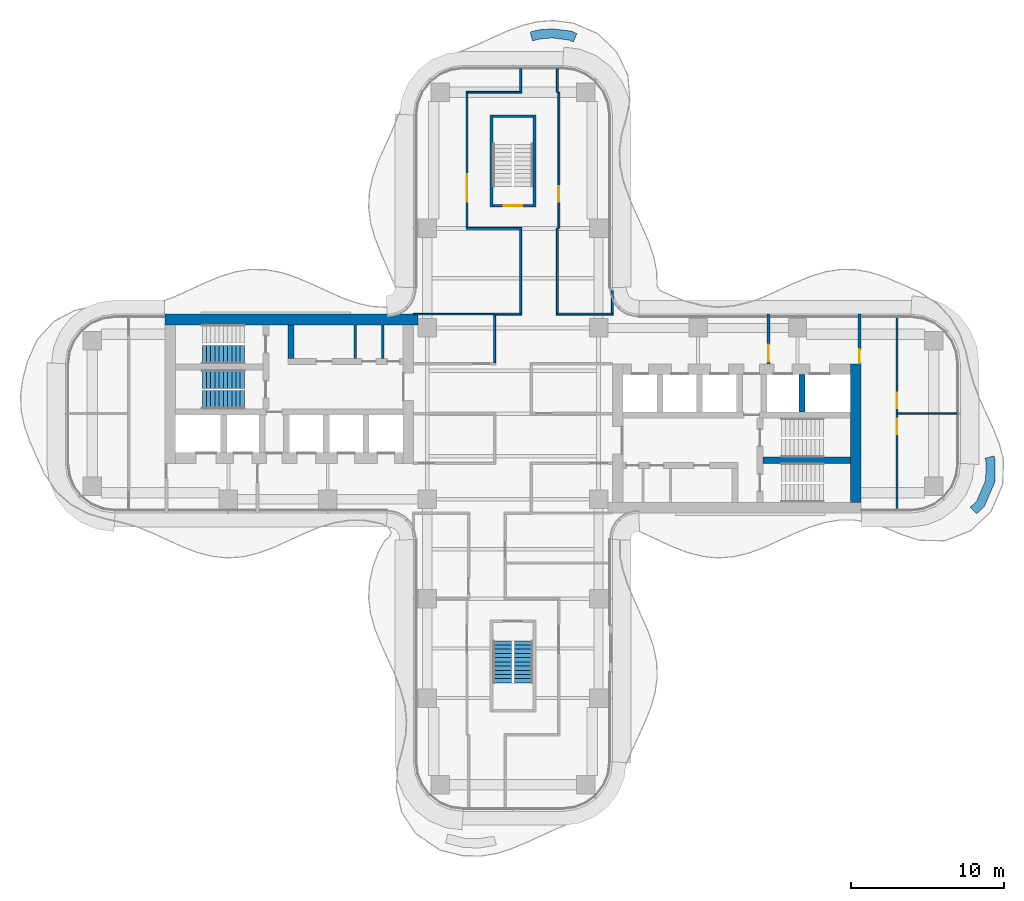
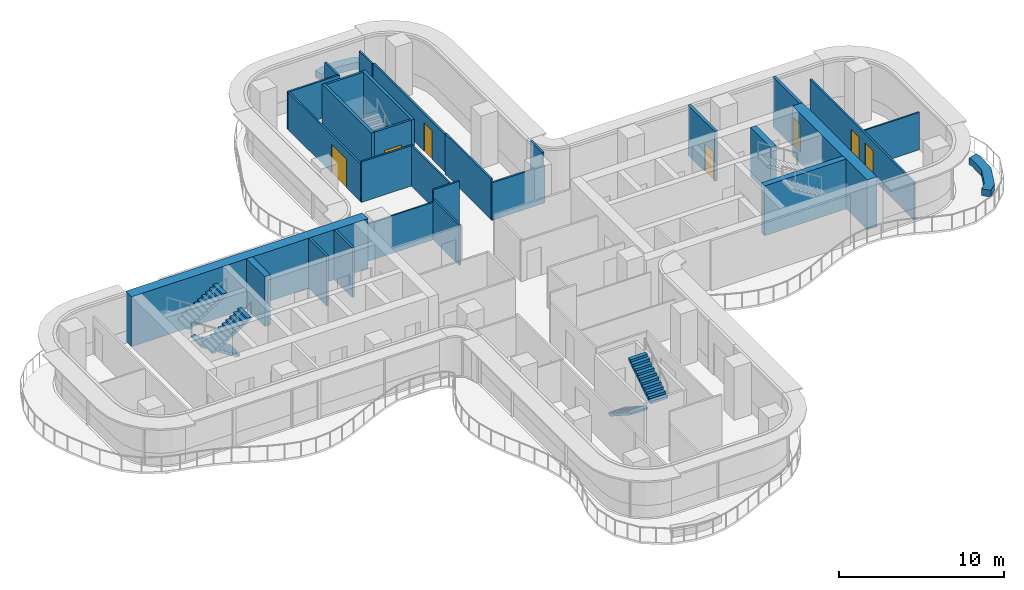
# One storey, part 15 of 18: 30 walls, 7 doors, 5 stair flights, 7 openings, 3 elements without a shape of their own.
"""IFC4 building model written with IfcOpenShell, lengths in metres."""

from ifc_helpers import new_model, si_unit, direction, frame, frame_2d, origin, place, context, subcontext, project, spatial, polyline, rectangle, outline, extrude, source, transform, mapped, material, layer, layer_set, type_object, element, fill, aggregate, save


model = new_model("IFC4")

# Units and contexts
model_context = context("Model", 3, precision=1e-05, world=origin(), true_north=direction((0.0, 1.0)))
body_context = subcontext(model_context, "Body", "Model", "MODEL_VIEW")
ifc_project = project(units=[si_unit("LENGTHUNIT", "METRE"), si_unit("AREAUNIT", "SQUARE_METRE"), si_unit("VOLUMEUNIT", "CUBIC_METRE"), si_unit("PLANEANGLEUNIT", "RADIAN"), si_unit("MASSUNIT", "GRAM", prefix="KILO")], contexts=[model_context])

# Site, building, storey
site_placement = place(None, origin())
site = spatial("IfcSite", under=ifc_project, at=site_placement, CompositionType="ELEMENT")
building_placement = place(site_placement, origin())
building = spatial("IfcBuilding", under=site, at=building_placement, Name="Trellis Farm Tower", CompositionType="ELEMENT")
storey_placement = place(building_placement, frame((0.0, 0.0, 193.199951171875)))
storey = spatial("IfcBuildingStorey", under=building, at=storey_placement, Name="L42", CompositionType="ELEMENT", Elevation=193.199951171875)

# Walls
ifc_material_1 = material(Name="Sandstone faced masonry planter", Category="masonry")
ifc_layer_1 = layer(ifc_material_1, 0.60009765625)
ifc_layer_set_1 = layer_set([ifc_layer_1], Name="PLANTER BED 600")
wall_type_1 = type_object("IfcWallType", Name="PLANTER BED 600", PredefinedType="USERDEFINED", material=ifc_layer_set_1)
placement = place(storey_placement, origin())
element("IfcWall", 1, at=placement, inside=storey, type_object=wall_type_1, Name="PLANTER bed", ObjectType="PLANTER", PredefinedType="USERDEFINED", context=body_context, shape_type="SweptSolid", body=[
    extrude(outline(polyline([(31.51953125, -3.056884765625), (31.487060546875, -4.484130859375), (30.81298828125, -6.068115234375), (30.291015625, -6.55810546875), (29.880615234375, -6.12060546875), (30.310302734375, -5.717041015625), (30.889892578125, -4.355224609375), (30.917724609375, -3.130126953125), (30.8603515625, -2.918701171875), (31.439697265625, -2.76171875), (31.51953125, -3.056884765625)])), origin(), (0.0, 0.0, 1.0), 0.5),
])
element("IfcWall", 2, at=placement, inside=storey, type_object=wall_type_1, Name="PLANTER bed", ObjectType="PLANTER", PredefinedType="USERDEFINED", context=body_context, shape_type="SweptSolid", body=[
    extrude(outline(polyline([(2.6142578125, 25.14501953125), (3.8056640625, 24.997802734375), (4.18359375, 24.83447265625), (3.945556640625, 24.28369140625), (3.646728515625, 24.4130859375), (2.59912109375, 24.54248046875), (1.80419921875, 24.484375), (1.273681640625, 24.358154296875), (1.134765625, 24.94189453125), (1.71240234375, 25.0791015625), (2.6142578125, 25.14501953125)])), origin(), (0.0, 0.0, 1.0), 0.5),
])
ifc_material_2 = material(Name="Concrete C70/85", Category="concrete")
ifc_layer_2 = layer(ifc_material_2, 0.699951171875)
ifc_layer_set_2 = layer_set([ifc_layer_2], Name="CORE OUTER WALL 700 CONCRETE C70/85")
wall_type_2 = type_object("IfcWallType", Name="CORE OUTER WALL 700 CONCRETE C70/85", PredefinedType="SHEAR", material=ifc_layer_set_2)
shared_shape_1 = source(origin(), body_context, "Body", "SweptSolid", [
    extrude(rectangle(XDim=9.050048828125, YDim=0.699951171875, at=frame_2d((4.52490234375, 0.0))), origin(), (0.0, 0.0, 1.0), 3.699951171875),
])
wall_3_placement = place(storey_placement, frame((22.39990234375, -5.800048828125, 0.0), z_axis=(0.0, 0.0, 1.0), x_axis=(0.0, 1.0, 0.0)))
element("IfcWall", 3, at=wall_3_placement, inside=storey, type_object=wall_type_2, Name="Core wall", PredefinedType="SHEAR", context=body_context, shape_type="MappedRepresentation", body=[
    mapped(shared_shape_1, transform((0.0, 0.0, 0.0))),
])
ifc_layer_3 = layer(ifc_material_2, 0.39990234375)
ifc_layer_set_3 = layer_set([ifc_layer_3], Name="CORE INNER WALL 400 CONCRETE C70/85")
wall_type_3 = type_object("IfcWallType", Name="CORE INNER WALL 400 CONCRETE C70/85", PredefinedType="SHEAR", material=ifc_layer_set_3)
shared_shape_2 = source(origin(), body_context, "Body", "SweptSolid", [
    extrude(rectangle(XDim=2.449951171875, YDim=0.39990234375, at=frame_2d((1.22509765625, 0.0))), origin(), (0.0, 0.0, 1.0), 3.699951171875),
])
wall_4_placement = place(storey_placement, frame((18.89990234375, 0.10009765625, 0.0), z_axis=(0.0, 0.0, 1.0), x_axis=(0.0, 1.0, 0.0)))
element("IfcWall", 4, at=wall_4_placement, inside=storey, type_object=wall_type_3, Name="Core wall", PredefinedType="SHEAR", context=body_context, shape_type="MappedRepresentation", body=[
    mapped(shared_shape_2, transform((0.0, 0.0, 0.0))),
])

# Wall, opening, door
ifc_material_3 = material(Name="Masonry blockwork", Category="masonry")
ifc_layer_4 = layer(ifc_material_3, 0.199951171875)
ifc_layer_set_4 = layer_set([ifc_layer_4], Name="FIRE LOBBY PARTITION 200 BLOCKWORK")
wall_type_4 = type_object("IfcWallType", Name="FIRE LOBBY PARTITION 200 BLOCKWORK", PredefinedType="PARTITIONING", material=ifc_layer_set_4)
shared_shape_3 = source(origin(), body_context, "Body", "SweptSolid", [
    extrude(rectangle(XDim=3.25, YDim=0.199951171875, at=frame_2d((1.625, 0.0))), origin(), (0.0, 0.0, 1.0), 3.699951171875),
])
wall_5_placement = place(storey_placement, frame((16.699951171875, 3.25, 0.0), z_axis=(0.0, 0.0, 1.0), x_axis=(0.0, 1.0, 0.0)))
wall_5 = element("IfcWall", 5, at=wall_5_placement, inside=storey, type_object=wall_type_4, Name="Fire-fighting lobby partition", PredefinedType="PARTITIONING", context=body_context, shape_type="MappedRepresentation", body=[
    mapped(shared_shape_3, transform((0.0, 0.0, 0.0))),
])
shared_shape_4 = source(origin(), body_context, "Body", "SweptSolid", [
    extrude(rectangle(XDim=1.10009765625, YDim=2.10009765625, at=frame_2d((0.550048828125, 1.050048828125))), frame((0.0, 0.110107421875, 0.0), z_axis=(0.0, -1.0, 0.0), x_axis=(1.0, 0.0, 0.0)), (0.0, 0.0, 1.0), 0.22021484375),
])
opening_1_placement = place(wall_5_placement, frame((0.14990234375, 0.0, 0.0)))
opening_1 = element("IfcOpeningElement", 6, at=opening_1_placement, cuts=wall_5, Name="Opening DC7", PredefinedType="OPENING", context=body_context, shape_type="MappedRepresentation", body=[
    mapped(shared_shape_4, transform((0.0, 0.0, 0.0))),
])
ifc_material_4 = material(Name="Steel", Category="steel")
door_type_1 = type_object("IfcDoorType", Name="CORE FIRE DOOR 1100 X 2100", OperationType="NOTDEFINED", PredefinedType="DOOR", material=ifc_material_4)
shared_shape_5 = source(origin(), body_context, "Body", "SweptSolid", [
    extrude(rectangle(XDim=1.10009765625, YDim=2.10009765625, at=frame_2d((0.550048828125, 1.050048828125))), frame((0.0, 0.02490234375, 0.0), z_axis=(0.0, -1.0, 0.0), x_axis=(1.0, 0.0, 0.0)), (0.0, 0.0, 1.0), 0.050048828125),
])
door_1_placement = place(opening_1_placement, origin())
door_1 = element("IfcDoor", 7, at=door_1_placement, inside=storey, type_object=door_type_1, Name="Core door", OperationType="SINGLE_SWING_RIGHT", OverallHeight=2.10009765625, OverallWidth=1.10009765625, PredefinedType="DOOR", context=body_context, shape_type="MappedRepresentation", body=[
    mapped(shared_shape_5, transform((0.0, 0.0, 0.0))),
])
fill(opening_1, door_1)

wall_6_placement = place(storey_placement, frame((22.64990234375, 3.25, 0.0), z_axis=(0.0, 0.0, 1.0), x_axis=(0.0, 1.0, 0.0)))
wall_6 = element("IfcWall", 8, at=wall_6_placement, inside=storey, type_object=wall_type_4, Name="Fire-fighting lobby partition", PredefinedType="PARTITIONING", context=body_context, shape_type="MappedRepresentation", body=[
    mapped(shared_shape_3, transform((0.0, 0.0, 0.0))),
])
shared_shape_6 = source(origin(), body_context, "Body", "SweptSolid", [
    extrude(rectangle(XDim=0.89990234375, YDim=2.10009765625, at=frame_2d((0.449951171875, 1.050048828125))), frame((0.0, 0.110107421875, 0.0), z_axis=(0.0, -1.0, 0.0), x_axis=(1.0, 0.0, 0.0)), (0.0, 0.0, 1.0), 0.22021484375),
])
opening_2_placement = place(wall_6_placement, frame((0.050048828125, 0.0, 0.0)))
opening_2 = element("IfcOpeningElement", 9, at=opening_2_placement, cuts=wall_6, Name="Opening DC8", PredefinedType="OPENING", context=body_context, shape_type="MappedRepresentation", body=[
    mapped(shared_shape_6, transform((0.0, 0.0, 0.0))),
])
door_type_2 = type_object("IfcDoorType", Name="CORE FIRE DOOR 900 X 2100", OperationType="NOTDEFINED", PredefinedType="DOOR", material=ifc_material_4)
shared_shape_7 = source(origin(), body_context, "Body", "SweptSolid", [
    extrude(rectangle(XDim=0.89990234375, YDim=2.10009765625, at=frame_2d((0.449951171875, 1.050048828125))), frame((0.0, 0.02490234375, 0.0), z_axis=(0.0, -1.0, 0.0), x_axis=(1.0, 0.0, 0.0)), (0.0, 0.0, 1.0), 0.050048828125),
])
door_2_placement = place(opening_2_placement, origin())
door_2 = element("IfcDoor", 10, at=door_2_placement, inside=storey, type_object=door_type_2, Name="Core door", OperationType="SINGLE_SWING_RIGHT", OverallHeight=2.10009765625, OverallWidth=0.89990234375, PredefinedType="DOOR", context=body_context, shape_type="MappedRepresentation", body=[
    mapped(shared_shape_7, transform((0.0, 0.0, 0.0))),
])
fill(opening_2, door_2)

# Walls
shared_shape_8 = source(origin(), body_context, "Body", "SweptSolid", [
    extrude(rectangle(XDim=16.550048828125, YDim=0.699951171875, at=frame_2d((8.27490234375, 0.0))), origin(), (0.0, 0.0, 1.0), 3.699951171875),
])
wall_7_placement = place(storey_placement, frame((-6.199951171875, 6.14990234375, 0.0), z_axis=(0.0, 0.0, 1.0), x_axis=(-1.0, 0.0, 0.0)))
element("IfcWall", 11, at=wall_7_placement, inside=storey, type_object=wall_type_2, Name="Core wall", PredefinedType="SHEAR", context=body_context, shape_type="MappedRepresentation", body=[
    mapped(shared_shape_8, transform((0.0, 0.0, 0.0))),
])
shared_shape_9 = source(origin(), body_context, "Body", "SweptSolid", [
    extrude(rectangle(XDim=5.699951171875, YDim=0.39990234375, at=frame_2d((2.85009765625, 0.0))), origin(), (0.0, 0.0, 1.0), 3.699951171875),
])
wall_8_placement = place(storey_placement, frame((16.35009765625, -3.050048828125, 0.0), z_axis=(0.0, 0.0, 1.0), x_axis=(1.0, 0.0, 0.0)))
element("IfcWall", 12, at=wall_8_placement, inside=storey, type_object=wall_type_3, Name="Core wall", PredefinedType="SHEAR", context=body_context, shape_type="MappedRepresentation", body=[
    mapped(shared_shape_9, transform((0.0, 0.0, 0.0))),
])
shared_shape_10 = source(origin(), body_context, "Body", "SweptSolid", [
    extrude(rectangle(XDim=2.199951171875, YDim=0.39990234375, at=frame_2d((1.10009765625, 0.0))), origin(), (0.0, 0.0, 1.0), 3.699951171875),
])
wall_9_placement = place(storey_placement, frame((-14.5, 5.800048828125, 0.0), z_axis=(0.0, 0.0, 1.0), x_axis=(0.0, -1.0, 0.0)))
element("IfcWall", 13, at=wall_9_placement, inside=storey, type_object=wall_type_3, Name="Core wall", PredefinedType="SHEAR", context=body_context, shape_type="MappedRepresentation", body=[
    mapped(shared_shape_10, transform((0.0, 0.0, 0.0))),
])
ifc_layer_5 = layer(ifc_material_3, 0.14990234375)
ifc_layer_set_5 = layer_set([ifc_layer_5], Name="CORE PARTITION 150 BLOCKWORK")
wall_type_5 = type_object("IfcWallType", Name="CORE PARTITION 150 BLOCKWORK", PredefinedType="PARTITIONING", material=ifc_layer_set_5)
shared_shape_11 = source(origin(), body_context, "Body", "SweptSolid", [
    extrude(rectangle(XDim=2.199951171875, YDim=0.14990234375, at=frame_2d((1.10009765625, 0.0))), origin(), (0.0, 0.0, 1.0), 3.699951171875),
])
for number, where, z_axis, x_axis, name in (
    (14, (-8.5, 5.800048828125, 0.0), (0.0, 0.0, 1.0), (0.0, -1.0, 0.0), "Core room partition"),
    (15, (-10.300048828125, 5.800048828125, 0.0), (0.0, 0.0, 1.0), (0.0, -1.0, 0.0), "Core room partition"),
):
    element("IfcWall", number, at=place(storey_placement, frame(where, z_axis=z_axis, x_axis=x_axis)), inside=storey, type_object=wall_type_5, Name=name, PredefinedType="PARTITIONING", context=body_context, shape_type="MappedRepresentation", body=[
        mapped(shared_shape_11, transform((0.0, 0.0, 0.0))),
    ])
ifc_layer_6 = layer(ifc_material_2, 0.199951171875)
ifc_layer_set_6 = layer_set([ifc_layer_6], Name="CORE STAIR ENCLOSURE WALL 200 CONCRETE C70/85")
wall_type_6 = type_object("IfcWallType", Name="CORE STAIR ENCLOSURE WALL 200 CONCRETE C70/85", PredefinedType="SHEAR", material=ifc_layer_set_6)
shared_shape_12 = source(origin(), body_context, "Body", "SweptSolid", [
    extrude(rectangle(XDim=6.0, YDim=0.199951171875, at=frame_2d((3.0, 0.0))), origin(), (0.0, 0.0, 1.0), 3.699951171875),
])
for number, where, z_axis, x_axis, name in (
    (16, (-1.39990234375, 13.5, 0.0), (0.0, 0.0, 1.0), (0.0, 1.0, 0.0), "Stair enclosure wall"),
    (17, (1.39990234375, 13.5, 0.0), (0.0, 0.0, 1.0), (0.0, 1.0, 0.0), "Stair enclosure wall"),
):
    element("IfcWall", number, at=place(storey_placement, frame(where, z_axis=z_axis, x_axis=x_axis)), inside=storey, type_object=wall_type_6, Name=name, PredefinedType="SHEAR", context=body_context, shape_type="MappedRepresentation", body=[
        mapped(shared_shape_12, transform((0.0, 0.0, 0.0))),
    ])

# Wall, opening, door
ifc_layer_7 = layer(ifc_material_2, 0.14990234375)
ifc_layer_set_7 = layer_set([ifc_layer_7], Name="CORE STAIR ENCLOSURE WALL 150 CONCRETE C70/85")
wall_type_7 = type_object("IfcWallType", Name="CORE STAIR ENCLOSURE WALL 150 CONCRETE C70/85", PredefinedType="SHEAR", material=ifc_layer_set_7)
shared_shape_13 = source(origin(), body_context, "Body", "SweptSolid", [
    extrude(rectangle(XDim=2.60009765625, YDim=0.14990234375, at=frame_2d((1.300048828125, 0.0))), origin(), (0.0, 0.0, 1.0), 3.699951171875),
])
wall_10_placement = place(storey_placement, frame((-1.300048828125, 13.574951171875, 0.0), z_axis=(0.0, 0.0, 1.0), x_axis=(1.0, 0.0, 0.0)))
wall_10 = element("IfcWall", 18, at=wall_10_placement, inside=storey, type_object=wall_type_7, Name="Stair enclosure wall", PredefinedType="SHEAR", context=body_context, shape_type="MappedRepresentation", body=[
    mapped(shared_shape_13, transform((0.0, 0.0, 0.0))),
])
shared_shape_14 = source(origin(), body_context, "Body", "SweptSolid", [
    extrude(rectangle(XDim=1.199951171875, YDim=2.10009765625, at=frame_2d((0.60009765625, 1.050048828125))), frame((0.0, 0.0849609375, 0.0), z_axis=(0.0, -1.0, 0.0), x_axis=(1.0, 0.0, 0.0)), (0.0, 0.0, 1.0), 0.169921875),
])
opening_3_placement = place(wall_10_placement, frame((0.699951171875, 0.0, 0.0)))
opening_3 = element("IfcOpeningElement", 19, at=opening_3_placement, cuts=wall_10, Name="Opening DC173", PredefinedType="OPENING", context=body_context, shape_type="MappedRepresentation", body=[
    mapped(shared_shape_14, transform((0.0, 0.0, 0.0))),
])
door_type_3 = type_object("IfcDoorType", Name="CORE FIRE DOOR 1200 X 2100", OperationType="NOTDEFINED", PredefinedType="DOOR", material=ifc_material_4)
shared_shape_15 = source(origin(), body_context, "Body", "SweptSolid", [
    extrude(rectangle(XDim=1.199951171875, YDim=2.10009765625, at=frame_2d((0.60009765625, 1.050048828125))), frame((0.0, 0.02490234375, 0.0), z_axis=(0.0, -1.0, 0.0), x_axis=(1.0, 0.0, 0.0)), (0.0, 0.0, 1.0), 0.050048828125),
])
door_3_placement = place(opening_3_placement, origin())
door_3 = element("IfcDoor", 20, at=door_3_placement, inside=storey, type_object=door_type_3, Name="Core door", OperationType="SINGLE_SWING_LEFT", OverallHeight=2.10009765625, OverallWidth=1.199951171875, PredefinedType="DOOR", context=body_context, shape_type="MappedRepresentation", body=[
    mapped(shared_shape_15, transform((0.0, 0.0, 0.0))),
])
fill(opening_3, door_3)

# Walls
wall_11_placement = place(storey_placement, frame((-1.300048828125, 19.425048828125, 0.0), z_axis=(0.0, 0.0, 1.0), x_axis=(1.0, 0.0, 0.0)))
element("IfcWall", 21, at=wall_11_placement, inside=storey, type_object=wall_type_7, Name="Stair enclosure wall", PredefinedType="SHEAR", context=body_context, shape_type="MappedRepresentation", body=[
    mapped(shared_shape_13, transform((0.0, 0.0, 0.0))),
])
ifc_material_5 = material(Name="Plasterboard on steel studs, mineral wool", Category="steel")
ifc_layer_8 = layer(ifc_material_5, 0.125)
ifc_layer_set_8 = layer_set([ifc_layer_8], Name="PARTITION 125 STUD EI 60")
wall_type_8 = type_object("IfcWallType", Name="PARTITION 125 STUD EI 60", PredefinedType="PARTITIONING", material=ifc_layer_set_8)
shared_shape_16 = source(origin(), body_context, "Body", "SweptSolid", [
    extrude(rectangle(XDim=5.47509765625, YDim=0.125, at=frame_2d((2.737548828125, 0.0))), origin(), (0.0, 0.0, 1.0), 2.99658203125),
])
wall_12_placement = place(storey_placement, frame((0.5, 12.03759765625, 0.0), z_axis=(0.0, 0.0, 1.0), x_axis=(0.0, -1.0, 0.0)))
element("IfcWall", 22, at=wall_12_placement, inside=storey, type_object=wall_type_8, Name="Partition PW1", PredefinedType="PARTITIONING", context=body_context, shape_type="MappedRepresentation", body=[
    mapped(shared_shape_16, transform((0.0, 0.0, 0.0))),
])
shared_shape_17 = source(origin(), body_context, "Body", "SweptSolid", [
    extrude(rectangle(XDim=3.137451171875, YDim=0.125, at=frame_2d((1.56884765625, 0.0))), origin(), (0.0, 0.0, 1.0), 2.99658203125),
])
wall_13_placement = place(storey_placement, frame((-1.199951171875, 6.449951171875, 0.0), z_axis=(0.0, 0.0, 1.0), x_axis=(0.0, -1.0, 0.0)))
element("IfcWall", 23, at=wall_13_placement, inside=storey, type_object=wall_type_8, Name="Partition PW1", PredefinedType="PARTITIONING", context=body_context, shape_type="MappedRepresentation", body=[
    mapped(shared_shape_17, transform((0.0, 0.0, 0.0))),
])
shared_shape_18 = source(origin(), body_context, "Body", "SweptSolid", [
    extrude(rectangle(XDim=5.53759765625, YDim=0.125, at=frame_2d((2.768798828125, 0.0))), origin(), (0.0, 0.0, 1.0), 2.99658203125),
])
wall_14_placement = place(storey_placement, frame((2.89990234375, 12.10009765625, 0.0), z_axis=(0.0, 0.0, 1.0), x_axis=(0.0, -1.0, 0.0)))
element("IfcWall", 24, at=wall_14_placement, inside=storey, type_object=wall_type_8, Name="Partition PW1", PredefinedType="PARTITIONING", context=body_context, shape_type="MappedRepresentation", body=[
    mapped(shared_shape_18, transform((0.0, 0.0, 0.0))),
])
shared_shape_19 = source(origin(), body_context, "Body", "SweptSolid", [
    extrude(rectangle(XDim=1.468994140625, YDim=0.125, at=frame_2d((0.734375, 0.0))), origin(), (0.0, 0.0, 1.0), 3.699951171875),
])
wall_15_placement = place(storey_placement, frame((6.5, 6.5625, 0.0), z_axis=(0.0, 0.0, 1.0), x_axis=(0.0, 1.0, 0.0)))
element("IfcWall", 25, at=wall_15_placement, inside=storey, type_object=wall_type_8, Name="Partition PW1", PredefinedType="PARTITIONING", context=body_context, shape_type="MappedRepresentation", body=[
    mapped(shared_shape_19, transform((0.0, 0.0, 0.0))),
])

# Wall, openings, doors
shared_shape_20 = source(origin(), body_context, "Body", "SweptSolid", [
    extrude(rectangle(XDim=12.60009765625, YDim=0.125, at=frame_2d((6.300048828125, 0.0))), origin(), (0.0, 0.0, 1.0), 2.780029296875),
])
wall_16_placement = place(storey_placement, frame((25.10009765625, 6.300048828125, 0.0), z_axis=(0.0, 0.0, 1.0), x_axis=(0.0, -1.0, 0.0)))
wall_16 = element("IfcWall", 26, at=wall_16_placement, inside=storey, type_object=wall_type_8, Name="Partition PW1", PredefinedType="PARTITIONING", context=body_context, shape_type="MappedRepresentation", body=[
    mapped(shared_shape_20, transform((0.0, 0.0, 0.0))),
])
shared_shape_21 = source(origin(), body_context, "Body", "SweptSolid", [
    extrude(rectangle(XDim=1.0, YDim=2.10009765625, at=frame_2d((0.5, 1.050048828125))), frame((0.0, 0.072509765625, 0.0), z_axis=(0.0, -1.0, 0.0), x_axis=(1.0, 0.0, 0.0)), (0.0, 0.0, 1.0), 0.14501953125),
])
opening_4_placement = place(wall_16_placement, frame((6.64990234375, 0.0, 0.0)))
opening_4 = element("IfcOpeningElement", 27, at=opening_4_placement, cuts=wall_16, Name="Opening D105", PredefinedType="OPENING", context=body_context, shape_type="MappedRepresentation", body=[
    mapped(shared_shape_21, transform((0.0, 0.0, 0.0))),
])
opening_5_placement = place(wall_16_placement, frame((4.949951171875, 0.0, 0.0)))
opening_5 = element("IfcOpeningElement", 28, at=opening_5_placement, cuts=wall_16, Name="Opening D107", PredefinedType="OPENING", context=body_context, shape_type="MappedRepresentation", body=[
    mapped(shared_shape_21, transform((0.0, 0.0, 0.0))),
])
ifc_material_6 = material(Name="Fire-rated timber door leaf in a hollow metal frame", Category="wood")
door_type_4 = type_object("IfcDoorType", Name="DOOR 1000x2100 FD30S", OperationType="NOTDEFINED", PredefinedType="DOOR", material=ifc_material_6)
shared_shape_22 = source(origin(), body_context, "Body", "SweptSolid", [
    extrude(rectangle(XDim=1.0, YDim=2.10009765625, at=frame_2d((0.5, 1.050048828125))), frame((0.0, 0.02490234375, 0.0), z_axis=(0.0, -1.0, 0.0), x_axis=(1.0, 0.0, 0.0)), (0.0, 0.0, 1.0), 0.050048828125),
])
door_4_placement = place(opening_4_placement, origin())
door_4 = element("IfcDoor", 29, at=door_4_placement, inside=storey, type_object=door_type_4, Name="Door D105", OperationType="SINGLE_SWING_LEFT", OverallHeight=2.10009765625, OverallWidth=1.0, PredefinedType="DOOR", context=body_context, shape_type="MappedRepresentation", body=[
    mapped(shared_shape_22, transform((0.0, 0.0, 0.0))),
])
fill(opening_4, door_4)
door_5_placement = place(opening_5_placement, origin())
door_5 = element("IfcDoor", 30, at=door_5_placement, inside=storey, type_object=door_type_4, Name="Door D107", OperationType="SINGLE_SWING_RIGHT", OverallHeight=2.10009765625, OverallWidth=1.0, PredefinedType="DOOR", context=body_context, shape_type="MappedRepresentation", body=[
    mapped(shared_shape_22, transform((0.0, 0.0, 0.0))),
])
fill(opening_5, door_5)

# Walls
ifc_material_7 = material(Name="Plasterboard on steel studs", Category="steel")
ifc_layer_9 = layer(ifc_material_7, 0.10009765625)
ifc_layer_set_9 = layer_set([ifc_layer_9], Name="PARTITION 100 STUD EI 30")
wall_type_9 = type_object("IfcWallType", Name="PARTITION 100 STUD EI 30", PredefinedType="PARTITIONING", material=ifc_layer_set_9)
shared_shape_23 = source(origin(), body_context, "Body", "SweptSolid", [
    extrude(rectangle(XDim=5.362548828125, YDim=0.10009765625, at=frame_2d((2.68115234375, 0.0))), origin(), (0.0, 0.0, 1.0), 2.780029296875),
])
wall_17_placement = place(storey_placement, frame((-6.5, 6.5, 0.0), z_axis=(0.0, 0.0, 1.0), x_axis=(1.0, 0.0, 0.0)))
element("IfcWall", 31, at=wall_17_placement, inside=storey, type_object=wall_type_9, Name="Partition PW2", PredefinedType="PARTITIONING", context=body_context, shape_type="MappedRepresentation", body=[
    mapped(shared_shape_23, transform((0.0, 0.0, 0.0))),
])
shared_shape_24 = source(origin(), body_context, "Body", "SweptSolid", [
    extrude(rectangle(XDim=1.824951171875, YDim=0.125, at=frame_2d((0.91259765625, 0.0))), origin(), (0.0, 0.0, 1.0), 3.699951171875),
])
wall_18_placement = place(storey_placement, frame((-1.262451171875, 6.5, 0.0), z_axis=(0.0, 0.0, 1.0), x_axis=(1.0, 0.0, 0.0)))
element("IfcWall", 32, at=wall_18_placement, inside=storey, type_object=wall_type_8, Name="Partition PW1", PredefinedType="PARTITIONING", context=body_context, shape_type="MappedRepresentation", body=[
    mapped(shared_shape_24, transform((0.0, 0.0, 0.0))),
])
shared_shape_25 = source(origin(), body_context, "Body", "SweptSolid", [
    extrude(rectangle(XDim=3.72509765625, YDim=0.125, at=frame_2d((1.862548828125, 0.0))), origin(), (0.0, 0.0, 1.0), 2.780029296875),
])
wall_19_placement = place(storey_placement, frame((2.83740234375, 6.5, 0.0), z_axis=(0.0, 0.0, 1.0), x_axis=(1.0, 0.0, 0.0)))
element("IfcWall", 33, at=wall_19_placement, inside=storey, type_object=wall_type_8, Name="Partition PW1", PredefinedType="PARTITIONING", context=body_context, shape_type="MappedRepresentation", body=[
    mapped(shared_shape_25, transform((0.0, 0.0, 0.0))),
])
shared_shape_26 = source(origin(), body_context, "Body", "SweptSolid", [
    extrude(rectangle(XDim=3.625, YDim=0.125, at=frame_2d((1.8125, 0.0))), origin(), (0.0, 0.0, 1.0), 2.99658203125),
])
wall_20_placement = place(storey_placement, frame((0.5625, 12.10009765625, 0.0), z_axis=(0.0, 0.0, 1.0), x_axis=(-1.0, 0.0, 0.0)))
element("IfcWall", 34, at=wall_20_placement, inside=storey, type_object=wall_type_8, Name="Partition PW1", PredefinedType="PARTITIONING", context=body_context, shape_type="MappedRepresentation", body=[
    mapped(shared_shape_26, transform((0.0, 0.0, 0.0))),
])
shared_shape_27 = source(origin(), body_context, "Body", "SweptSolid", [
    extrude(rectangle(XDim=3.887451171875, YDim=0.10009765625, at=frame_2d((1.94384765625, 0.0))), origin(), (0.0, 0.0, 1.0), 2.780029296875),
])
wall_21_placement = place(storey_placement, frame((25.16259765625, 0.0, 0.0), z_axis=(0.0, 0.0, 1.0), x_axis=(1.0, 0.0, 0.0)))
element("IfcWall", 35, at=wall_21_placement, inside=storey, type_object=wall_type_9, Name="Partition PW2", PredefinedType="PARTITIONING", context=body_context, shape_type="MappedRepresentation", body=[
    mapped(shared_shape_27, transform((0.0, 0.0, 0.0))),
])

# Wall, opening, door
shared_shape_28 = source(origin(), body_context, "Body", "SweptSolid", [
    extrude(rectangle(XDim=8.77490234375, YDim=0.125, at=frame_2d((4.387451171875, 0.0))), origin(), (0.0, 0.0, 1.0), 2.780029296875),
])
wall_22_placement = place(storey_placement, frame((-3.0, 12.16259765625, 0.0), z_axis=(0.0, 0.0, 1.0), x_axis=(0.0, 1.0, 0.0)))
wall_22 = element("IfcWall", 36, at=wall_22_placement, inside=storey, type_object=wall_type_8, Name="Partition PW1", PredefinedType="PARTITIONING", context=body_context, shape_type="MappedRepresentation", body=[
    mapped(shared_shape_28, transform((0.0, 0.0, 0.0))),
])
shared_shape_29 = source(origin(), body_context, "Body", "SweptSolid", [
    extrude(rectangle(XDim=1.800048828125, YDim=2.10009765625, at=frame_2d((0.89990234375, 1.050048828125))), frame((0.0, 0.072509765625, 0.0), z_axis=(0.0, -1.0, 0.0), x_axis=(1.0, 0.0, 0.0)), (0.0, 0.0, 1.0), 0.14501953125),
])
opening_6_placement = place(wall_22_placement, frame((1.6875, 0.0, 0.0)))
opening_6 = element("IfcOpeningElement", 37, at=opening_6_placement, cuts=wall_22, Name="Opening D203", PredefinedType="OPENING", context=body_context, shape_type="MappedRepresentation", body=[
    mapped(shared_shape_29, transform((0.0, 0.0, 0.0))),
])
door_type_5 = type_object("IfcDoorType", Name="DOOR PAIR 1800x2100 FD30S", OperationType="NOTDEFINED", PredefinedType="DOOR", material=ifc_material_6)
shared_shape_30 = source(origin(), body_context, "Body", "SweptSolid", [
    extrude(rectangle(XDim=1.800048828125, YDim=2.10009765625, at=frame_2d((0.89990234375, 1.050048828125))), frame((0.0, 0.02490234375, 0.0), z_axis=(0.0, -1.0, 0.0), x_axis=(1.0, 0.0, 0.0)), (0.0, 0.0, 1.0), 0.050048828125),
])
door_6_placement = place(opening_6_placement, origin())
door_6 = element("IfcDoor", 38, at=door_6_placement, inside=storey, type_object=door_type_5, Name="Door D203", OperationType="DOUBLE_DOOR_SINGLE_SWING", OverallHeight=2.10009765625, OverallWidth=1.800048828125, PredefinedType="DOOR", context=body_context, shape_type="MappedRepresentation", body=[
    mapped(shared_shape_30, transform((0.0, 0.0, 0.0))),
])
fill(opening_6, door_6)

# Walls
shared_shape_31 = source(origin(), body_context, "Body", "SweptSolid", [
    extrude(rectangle(XDim=1.487548828125, YDim=0.125, at=frame_2d((0.74365234375, 0.0))), origin(), (0.0, 0.0, 1.0), 2.780029296875),
])
wall_23_placement = place(storey_placement, frame((0.5, 22.550048828125, 0.0), z_axis=(0.0, 0.0, 1.0), x_axis=(0.0, -1.0, 0.0)))
element("IfcWall", 39, at=wall_23_placement, inside=storey, type_object=wall_type_8, Name="Partition PW1", PredefinedType="PARTITIONING", context=body_context, shape_type="MappedRepresentation", body=[
    mapped(shared_shape_31, transform((0.0, 0.0, 0.0))),
])
shared_shape_32 = source(origin(), body_context, "Body", "SweptSolid", [
    extrude(rectangle(XDim=1.550048828125, YDim=0.125, at=frame_2d((0.77490234375, 0.0))), origin(), (0.0, 0.0, 1.0), 2.780029296875),
])
wall_24_placement = place(storey_placement, frame((2.89990234375, 22.550048828125, 0.0), z_axis=(0.0, 0.0, 1.0), x_axis=(0.0, -1.0, 0.0)))
element("IfcWall", 40, at=wall_24_placement, inside=storey, type_object=wall_type_8, Name="Partition PW1", PredefinedType="PARTITIONING", context=body_context, shape_type="MappedRepresentation", body=[
    mapped(shared_shape_32, transform((0.0, 0.0, 0.0))),
])

# Wall, opening, door
shared_shape_33 = source(origin(), body_context, "Body", "SweptSolid", [
    extrude(rectangle(XDim=8.89990234375, YDim=0.125, at=frame_2d((4.449951171875, 0.0))), origin(), (0.0, 0.0, 1.0), 2.780029296875),
])
wall_25_placement = place(storey_placement, frame((3.0, 21.0, 0.0), z_axis=(0.0, 0.0, 1.0), x_axis=(0.0, -1.0, 0.0)))
wall_25 = element("IfcWall", 41, at=wall_25_placement, inside=storey, type_object=wall_type_8, Name="Partition PW1", PredefinedType="PARTITIONING", context=body_context, shape_type="MappedRepresentation", body=[
    mapped(shared_shape_33, transform((0.0, 0.0, 0.0))),
])
opening_7_placement = place(wall_25_placement, frame((6.14990234375, 0.0, 0.0)))
opening_7 = element("IfcOpeningElement", 42, at=opening_7_placement, cuts=wall_25, Name="Opening D110", PredefinedType="OPENING", context=body_context, shape_type="MappedRepresentation", body=[
    mapped(shared_shape_21, transform((0.0, 0.0, 0.0))),
])
door_7_placement = place(opening_7_placement, origin())
door_7 = element("IfcDoor", 43, at=door_7_placement, inside=storey, type_object=door_type_4, Name="Door D110", OperationType="SINGLE_SWING_RIGHT", OverallHeight=2.10009765625, OverallWidth=1.0, PredefinedType="DOOR", context=body_context, shape_type="MappedRepresentation", body=[
    mapped(shared_shape_22, transform((0.0, 0.0, 0.0))),
])
fill(opening_7, door_7)

# Wall
shared_shape_34 = source(origin(), body_context, "Body", "SweptSolid", [
    extrude(rectangle(XDim=3.625, YDim=0.125, at=frame_2d((1.8125, 0.0))), origin(), (0.0, 0.0, 1.0), 2.780029296875),
])
wall_26_placement = place(storey_placement, frame((-3.0625, 21.0, 0.0), z_axis=(0.0, 0.0, 1.0), x_axis=(1.0, 0.0, 0.0)))
element("IfcWall", 44, at=wall_26_placement, inside=storey, type_object=wall_type_8, Name="Partition PW1", PredefinedType="PARTITIONING", context=body_context, shape_type="MappedRepresentation", body=[
    mapped(shared_shape_34, transform((0.0, 0.0, 0.0))),
])

# Stair, stair flights
ifc_material_8 = material(Name="Concrete C50/60", Category="concrete")
stair_type = type_object("IfcStairType", Name="CORE EXIT STAIR 22 RISERS 177 MM", PredefinedType="HALF_TURN_STAIR", material=ifc_material_8)
stair_1 = element("IfcStair", 45, at=placement, inside=storey, type_object=stair_type, Name="Exit stair S", PredefinedType="HALF_TURN_STAIR")
stair_flight_type = type_object("IfcStairFlightType", Name="STAIR FLIGHT 11 RISERS 177 MM", PredefinedType="STRAIGHT", material=ifc_material_8)
shared_shape_35 = source(origin(), body_context, "Body", "SweptSolid", [
    extrude(outline(polyline([(0.0, 0.0), (0.0, 0.17724609375), (0.27490234375, 0.17724609375), (0.27490234375, 0.3544921875), (0.550048828125, 0.3544921875), (0.550048828125, 0.53173828125), (0.824951171875, 0.53173828125), (0.824951171875, 0.708984375), (1.10009765625, 0.708984375), (1.10009765625, 0.886474609375), (1.375, 0.886474609375), (1.375, 1.063720703125), (1.64990234375, 1.063720703125), (1.64990234375, 1.240966796875), (1.925048828125, 1.240966796875), (1.925048828125, 1.418212890625), (2.199951171875, 1.418212890625), (2.199951171875, 1.595458984375), (2.47509765625, 1.595458984375), (2.47509765625, 1.772705078125), (2.75, 1.772705078125), (2.75, 1.949951171875), (2.75, 1.6181640625), (0.23974609375, 0.0), (0.0, 0.0)])), frame((0.0, 0.60009765625, 0.0), z_axis=(0.0, -1.0, 0.0), x_axis=(1.0, 0.0, 0.0)), (0.0, 0.0, 1.0), 1.199951171875),
])
stair_flight_1_placement = place(storey_placement, frame((-0.699951171875, -14.85009765625, 0.0), z_axis=(0.0, 0.0, 1.0), x_axis=(0.0, -1.0, 0.0)))
stair_flight_1 = element("IfcStairFlight", 46, at=stair_flight_1_placement, type_object=stair_flight_type, Name="STS flight 1", NumberOfRisers=11, NumberOfTreads=10, PredefinedType="STRAIGHT", RiserHeight=0.177272727, TreadLength=0.275, context=body_context, shape_type="MappedRepresentation", body=[
    mapped(shared_shape_35, transform((0.0, 0.0, 0.0))),
])
stair_flight_2_placement = place(storey_placement, frame((0.699951171875, -17.60009765625, 1.949951171875), z_axis=(0.0, 0.0, 1.0), x_axis=(0.0, 1.0, 0.0)))
stair_flight_2 = element("IfcStairFlight", 47, at=stair_flight_2_placement, type_object=stair_flight_type, Name="STS flight 2", NumberOfRisers=11, NumberOfTreads=10, PredefinedType="STRAIGHT", RiserHeight=0.177272727, TreadLength=0.275, context=body_context, shape_type="MappedRepresentation", body=[
    mapped(shared_shape_35, transform((0.0, 0.0, 0.0))),
])
aggregate(stair_1, [stair_flight_1, stair_flight_2])

# Stair, stair flight
stair_2 = element("IfcStair", 48, at=placement, inside=storey, type_object=stair_type, Name="Exit stair W1", PredefinedType="HALF_TURN_STAIR")
stair_flight_3_placement = place(storey_placement, frame((-20.300048828125, 3.85009765625, 1.949951171875), z_axis=(0.0, 0.0, 1.0), x_axis=(1.0, 0.0, 0.0)))
stair_flight_3 = element("IfcStairFlight", 49, at=stair_flight_3_placement, type_object=stair_flight_type, Name="STW1 flight 2", NumberOfRisers=11, NumberOfTreads=10, PredefinedType="STRAIGHT", RiserHeight=0.177272727, TreadLength=0.275, context=body_context, shape_type="MappedRepresentation", body=[
    mapped(shared_shape_35, transform((0.0, 0.0, 0.0))),
])
aggregate(stair_2, [stair_flight_3])

# Stair, stair flights
stair_3 = element("IfcStair", 50, at=placement, inside=storey, type_object=stair_type, Name="Exit stair W2", PredefinedType="HALF_TURN_STAIR")
stair_flight_4_placement = place(storey_placement, frame((-17.550048828125, 2.25, 0.0), z_axis=(0.0, 0.0, 1.0), x_axis=(-1.0, 0.0, 0.0)))
stair_flight_4 = element("IfcStairFlight", 51, at=stair_flight_4_placement, type_object=stair_flight_type, Name="STW2 flight 1", NumberOfRisers=11, NumberOfTreads=10, PredefinedType="STRAIGHT", RiserHeight=0.177272727, TreadLength=0.275, context=body_context, shape_type="MappedRepresentation", body=[
    mapped(shared_shape_35, transform((0.0, 0.0, 0.0))),
])
stair_flight_5_placement = place(storey_placement, frame((-20.300048828125, 0.89990234375, 1.949951171875), z_axis=(0.0, 0.0, 1.0), x_axis=(1.0, 0.0, 0.0)))
stair_flight_5 = element("IfcStairFlight", 52, at=stair_flight_5_placement, type_object=stair_flight_type, Name="STW2 flight 2", NumberOfRisers=11, NumberOfTreads=10, PredefinedType="STRAIGHT", RiserHeight=0.177272727, TreadLength=0.275, context=body_context, shape_type="MappedRepresentation", body=[
    mapped(shared_shape_35, transform((0.0, 0.0, 0.0))),
])
aggregate(stair_3, [stair_flight_4, stair_flight_5])

save(model, "model.ifc")
